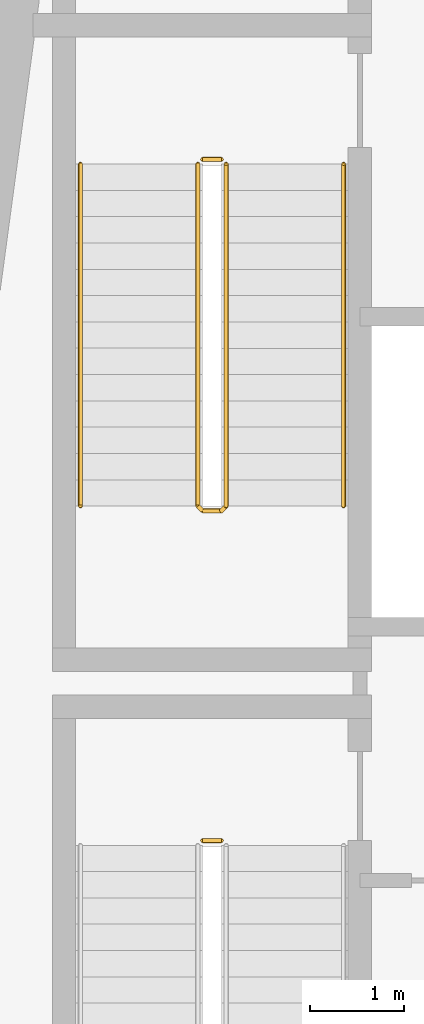
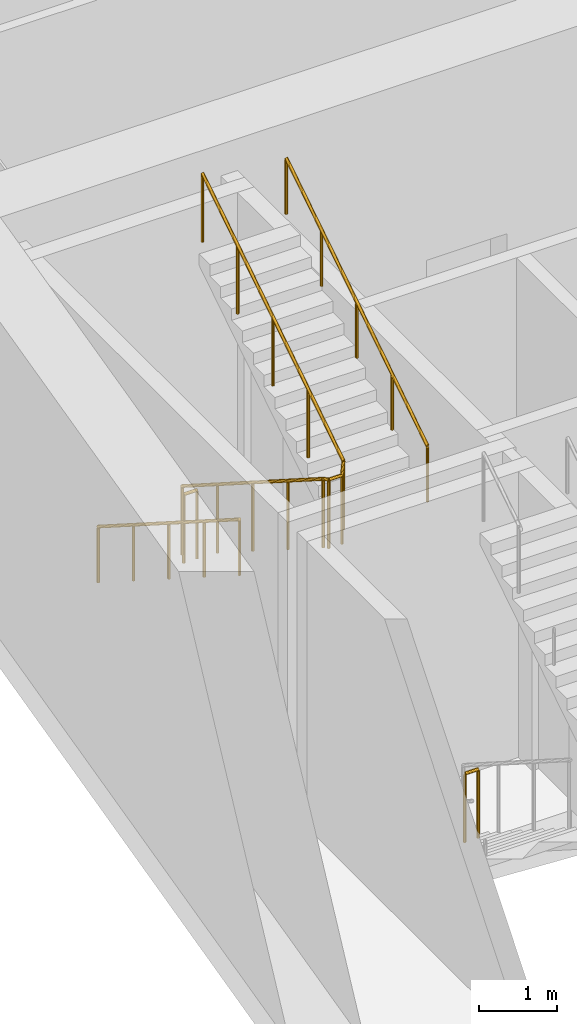
# One storey, part 13 of 16: 5 railings.
"""IFC4 building model written with IfcOpenShell, lengths in metres."""

import ifcopenshell
import ifcopenshell.guid

model = None  # the IFC model being written
_history = None  # IfcOwnerHistory: only IFC2X3 demands one
_inside = {}  # id of a spatial element -> (the spatial element, [elements in it])
_under = {}  # id of a project, library or spatial element -> (it, [spatial elements below it])
_declared = {}  # id of a project -> (the project, [libraries it declares])
_typed = {}  # id of a type object -> (the type object, [elements of that type])
_made_of = {}  # id of a material, layer set ... -> (it, [elements and type objects made of it])


def new_model(schema):
    """Start an empty IFC model of exactly this schema.

    Asked for "IFC4X3", IfcOpenShell would pick the latest addendum, in which some entities
    have other attributes; the version numbers below select the first issue.
    IFC2X3 requires an IfcOwnerHistory on every rooted entity: one is made here for all.
    """
    global model, _history
    if schema == "IFC4X3":
        model = ifcopenshell.file(schema_version=(4, 3, 0, 0))
    else:
        model = ifcopenshell.file(schema=schema)
    _inside.clear()
    _under.clear()
    _declared.clear()
    _typed.clear()
    _made_of.clear()
    _history = None
    if model.schema == "IFC2X3":
        org = make("IfcOrganization", Name="unknown")
        user = make(
            "IfcPersonAndOrganization",
            ThePerson=make("IfcPerson", FamilyName="unknown"),
            TheOrganization=org,
        )
        app = make(
            "IfcApplication",
            ApplicationDeveloper=org,
            Version="unknown",
            ApplicationFullName="unknown",
            ApplicationIdentifier="unknown",
        )
        _history = make(
            "IfcOwnerHistory",
            OwningUser=user,
            OwningApplication=app,
            ChangeAction="ADDED",
            CreationDate=0,
        )
    return model


def make(cls, **values):
    """One entity of the class cls with the attributes given. An attribute that is None is left unset."""
    return model.create_entity(
        cls, **{name: value for name, value in values.items() if value is not None}
    )


def rooted(cls, **values):
    """An entity with a GlobalId (a new one), such as an element, a storey or a relation."""
    return make(cls, GlobalId=ifcopenshell.guid.new(), OwnerHistory=_history, **values)


def si_unit(unit_type, name, prefix=None):
    """IfcSIUnit, for example si_unit("LENGTHUNIT", "METRE", prefix="MILLI")."""
    return make("IfcSIUnit", UnitType=unit_type, Prefix=prefix, Name=name)


def assignment(units):
    """IfcUnitAssignment: the units of a project."""
    return None if units is None else make("IfcUnitAssignment", Units=units)


def point(xyz):
    """IfcCartesianPoint."""
    return None if xyz is None else make("IfcCartesianPoint", Coordinates=xyz)


def direction(xyz):
    """IfcDirection."""
    return None if xyz is None else make("IfcDirection", DirectionRatios=xyz)


def frame(location, z_axis=None, x_axis=None):
    """IfcAxis2Placement3D, a coordinate frame: its origin and axes. An axis left out is left unset."""
    return make(
        "IfcAxis2Placement3D",
        Location=point(location),
        Axis=direction(z_axis),
        RefDirection=direction(x_axis),
    )


def frame_2d(location, x_axis=None):
    """IfcAxis2Placement2D, a coordinate frame in the plane: its origin and x axis."""
    return make(
        "IfcAxis2Placement2D", Location=point(location), RefDirection=direction(x_axis)
    )


def origin():
    """The frame at (0, 0, 0) with its axes left unset."""
    return frame((0.0, 0.0, 0.0))


def origin_2d():
    """The frame at (0, 0) in the plane with its x axis left unset."""
    return frame_2d((0.0, 0.0))


def place(relative_to, where):
    """IfcLocalPlacement: puts the frame where relative to a parent placement (None: the world)."""
    return make(
        "IfcLocalPlacement", PlacementRelTo=relative_to, RelativePlacement=where
    )


def context(
    kind, dimensions, precision=None, world=None, true_north=None, identifier=None
):
    """IfcGeometricRepresentationContext, for example the 3D "Model" context."""
    return make(
        "IfcGeometricRepresentationContext",
        ContextIdentifier=identifier,
        ContextType=kind,
        CoordinateSpaceDimension=dimensions,
        Precision=precision,
        WorldCoordinateSystem=world,
        TrueNorth=true_north,
    )


def subcontext(parent, identifier, kind, view, scale=None):
    """IfcGeometricRepresentationSubContext, for example "Body" below "Model"."""
    return make(
        "IfcGeometricRepresentationSubContext",
        ContextIdentifier=identifier,
        ContextType=kind,
        ParentContext=parent,
        TargetScale=scale,
        TargetView=view,
    )


def project(units=None, contexts=None):
    """IfcProject with its units and contexts."""
    return rooted(
        "IfcProject",
        Name="project",
        RepresentationContexts=contexts,
        UnitsInContext=assignment(units),
    )


def spatial(cls, under=None, at=None, **own):
    """A site, building, storey or space (cls), placed at a placement, below another one or the project."""
    s = rooted(cls, ObjectPlacement=at, **own)
    if under is not None:
        _under.setdefault(under.id(), (under, []))[1].append(s)
    return s


def profile(cls, at=None, kind="AREA", **sizes):
    """A parametric profile (cls). Its sizes go by their IFC names, for example OverallWidth=200.0."""
    return make(cls, ProfileType=kind, Position=at, **sizes)


def circle(**sizes):
    """IfcCircleProfileDef."""
    return profile("IfcCircleProfileDef", **sizes)


def extrude(swept, where, along, depth):
    """IfcExtrudedAreaSolid: the profile swept, set in the frame where, extruded along a direction by depth."""
    return make(
        "IfcExtrudedAreaSolid",
        SweptArea=swept,
        Position=where,
        ExtrudedDirection=direction(along),
        Depth=depth,
    )


def shape(context_of_items, identifier, shape_type, items):
    """IfcShapeRepresentation: the items that make up one representation, for example the "Body"."""
    return make(
        "IfcShapeRepresentation",
        ContextOfItems=context_of_items,
        RepresentationIdentifier=identifier,
        RepresentationType=shape_type,
        Items=items,
    )


def material(Name=None, Category=None):
    """IfcMaterial."""
    return make("IfcMaterial", Name=Name, Category=Category)


def made_of(thing, what):
    """Note that an element or type object is made of a material, layer set ...; save() writes the relation."""
    if what is not None:
        _made_of.setdefault(what.id(), (what, []))[1].append(thing)
    return thing


def type_object(cls, material=None, **own):
    """A type object (cls), such as IfcWallType, which elements share."""
    return made_of(rooted(cls, **own), material)


def element(
    cls,
    number,
    at=None,
    inside=None,
    cuts=None,
    type_object=None,
    material=None,
    context=None,
    identifier="Body",
    shape_type=None,
    held_by="IfcProductDefinitionShape",
    body=None,
    shapes=None,
    **own,
):
    """One element of the class cls, such as IfcWall. Its Tag is "e" and its number.

    at: its placement. inside: the storey or other place that contains it. cuts: it is an
    opening in that element (IfcRelVoidsElement). A single representation is given by context,
    identifier, shape_type and body (its items); several are given by shapes. held_by: the class
    of the entity that holds the representations. save() writes the other relations.
    """
    e = rooted(cls, Tag="e%d" % number, ObjectPlacement=at, **own)
    if body is not None:
        shapes = [shape(context, identifier, shape_type, body)]
    if shapes is not None:
        e.Representation = make(held_by, Representations=shapes)
    if inside is not None:
        _inside.setdefault(inside.id(), (inside, []))[1].append(e)
    if cuts is not None:
        rooted(
            "IfcRelVoidsElement", RelatingBuildingElement=cuts, RelatedOpeningElement=e
        )
    if type_object is not None:
        _typed.setdefault(type_object.id(), (type_object, []))[1].append(e)
    return made_of(e, material)


def aggregate(whole, parts):
    """IfcRelAggregates: a whole, such as a stair, and the parts it consists of."""
    return rooted("IfcRelAggregates", RelatingObject=whole, RelatedObjects=parts)


def save(model, path):
    """Write the relations noted so far, then the file.

    IfcRelAggregates (storeys below a building ...), IfcRelContainedInSpatialStructure (elements
    in a storey), IfcRelDefinesByType, IfcRelAssociatesMaterial and IfcRelDeclares: one each for
    every whole, place, type object, material and project.
    """
    for whole, parts in _under.values():
        aggregate(whole, parts)
    for where, things in _inside.values():
        rooted(
            "IfcRelContainedInSpatialStructure",
            RelatedElements=things,
            RelatingStructure=where,
        )
    for kind, things in _typed.values():
        rooted("IfcRelDefinesByType", RelatedObjects=things, RelatingType=kind)
    for what, things in _made_of.values():
        rooted("IfcRelAssociatesMaterial", RelatedObjects=things, RelatingMaterial=what)
    for by, libraries in _declared.values():
        rooted("IfcRelDeclares", RelatingContext=by, RelatedDefinitions=libraries)
    model.write(path)


model = new_model("IFC4")

# Units and contexts
model_context = context("Model", 3, precision=1e-05, world=origin(), true_north=direction((0.0, 1.0)))
body_context = subcontext(model_context, "Body", "Model", "MODEL_VIEW")
ifc_project = project(units=[si_unit("LENGTHUNIT", "METRE"), si_unit("AREAUNIT", "SQUARE_METRE"), si_unit("VOLUMEUNIT", "CUBIC_METRE"), si_unit("PLANEANGLEUNIT", "RADIAN"), si_unit("MASSUNIT", "GRAM", prefix="KILO")], contexts=[model_context])

# Site, building, storey
site_placement = place(None, origin())
site = spatial("IfcSite", under=ifc_project, at=site_placement, CompositionType="ELEMENT")
building_placement = place(site_placement, origin())
building = spatial("IfcBuilding", under=site, at=building_placement, Name="Candeia Pilgrim Tower and Theatre", CompositionType="ELEMENT")
storey_placement = place(building_placement, frame((0.0, 0.0, 192.199951171875)))
storey = spatial("IfcBuildingStorey", under=building, at=storey_placement, Name="L46", CompositionType="ELEMENT", Elevation=192.199951171875)

# Railings
ifc_material_1 = material(Name="Stainless steel balustrade", Category="steel")
railing_type_1 = type_object("IfcRailingType", Name="RL-GUARD-1100", PredefinedType="GUARDRAIL", material=ifc_material_1)
railing_1_placement = place(storey_placement, frame((91.152099609375, 122.52490234375, 0.0)))
element("IfcRailing", 1, at=railing_1_placement, inside=storey, type_object=railing_type_1, Name="L46 ST1 stair guard 2", PredefinedType="GUARDRAIL", context=body_context, shape_type="SweptSolid", body=[
    extrude(circle(Radius=0.02392578125, at=origin_2d()), frame((0.0, 0.0, 1.076171875), z_axis=(1.0, 0.0, 0.0), x_axis=(0.0, 1.0, 0.0)), (0.0, 0.0, 1.0), 0.199951171875),
    extrude(circle(Radius=0.02099609375, at=origin_2d()), origin(), (0.0, 0.0, 1.0), 1.052001953125),
    extrude(circle(Radius=0.02099609375, at=origin_2d()), frame((0.199951171875, 0.0, 0.0)), (0.0, 0.0, 1.0), 1.052001953125),
])
railing_2_placement = place(storey_placement, frame((91.10205078125, 129.72509765625, 0.1787109375)))
element("IfcRailing", 2, at=railing_2_placement, inside=storey, type_object=railing_type_1, Name="L46 ST2 stair guard 1", PredefinedType="GUARDRAIL", context=body_context, shape_type="SweptSolid", body=[
    extrude(circle(Radius=0.02392578125, at=origin_2d()), frame((0.0, 0.0, 1.076171875), z_axis=(0.0, -0.843153495434, 0.537672933239), x_axis=(1.0, 0.0, 0.0)), (0.0, 0.0, 1.0), 4.3173828125),
    extrude(circle(Radius=0.02392578125, at=origin_2d()), frame((0.0, -3.64013671875, 3.3974609375), z_axis=(0.707106781187, -0.707106781187, 0.0), x_axis=(0.707106781187, 0.707106781187, 0.0)), (0.0, 0.0, 1.0), 0.07080078125),
    extrude(circle(Radius=0.02392578125, at=origin_2d()), frame((0.050048828125, -3.690185546875, 3.3974609375), z_axis=(1.0, 0.0, 0.0), x_axis=(0.0, 1.0, 0.0)), (0.0, 0.0, 1.0), 0.199951171875),
    extrude(circle(Radius=0.02392578125, at=origin_2d()), frame((0.25, -3.690185546875, 3.3974609375), z_axis=(0.260376719329, 0.260376719329, 0.929735407556), x_axis=(-0.707106781187, 0.707106781187, 0.0)), (0.0, 0.0, 1.0), 0.192138671875),
    extrude(circle(Radius=0.02392578125, at=origin_2d()), frame((0.300048828125, -3.64013671875, 3.576171875), z_axis=(0.0, 0.843153495434, 0.537672933239), x_axis=(-1.0, 0.0, 0.0)), (0.0, 0.0, 1.0), 4.3173828125),
    extrude(circle(Radius=0.02099609375, at=origin_2d()), origin(), (0.0, 0.0, 1.0), 1.052001953125),
    extrude(circle(Radius=0.02099609375, at=origin_2d()), frame((0.0, -0.91015625, 0.580322265625)), (0.0, 0.0, 1.0), 1.052001953125),
    extrude(circle(Radius=0.02099609375, at=origin_2d()), frame((0.0, -1.820068359375, 1.16064453125)), (0.0, 0.0, 1.0), 1.052001953125),
    extrude(circle(Radius=0.02099609375, at=origin_2d()), frame((0.0, -2.72998046875, 1.740966796875)), (0.0, 0.0, 1.0), 1.052001953125),
    extrude(circle(Radius=0.02099609375, at=origin_2d()), frame((0.0, -3.64013671875, 2.3212890625)), (0.0, 0.0, 1.0), 1.052001953125),
    extrude(circle(Radius=0.02099609375, at=origin_2d()), frame((0.050048828125, -3.690185546875, 2.3212890625)), (0.0, 0.0, 1.0), 1.052001953125),
    extrude(circle(Radius=0.02099609375, at=origin_2d()), frame((0.25, -3.690185546875, 2.3212890625)), (0.0, 0.0, 1.0), 1.052001953125),
    extrude(circle(Radius=0.02099609375, at=origin_2d()), frame((0.300048828125, -3.64013671875, 2.5)), (0.0, 0.0, 1.0), 1.052001953125),
    extrude(circle(Radius=0.02099609375, at=origin_2d()), frame((0.300048828125, -2.72998046875, 3.080322265625)), (0.0, 0.0, 1.0), 1.052001953125),
    extrude(circle(Radius=0.02099609375, at=origin_2d()), frame((0.300048828125, -1.820068359375, 3.66064453125)), (0.0, 0.0, 1.0), 1.052001953125),
    extrude(circle(Radius=0.02099609375, at=origin_2d()), frame((0.300048828125, -0.91015625, 4.240966796875)), (0.0, 0.0, 1.0), 1.052001953125),
    extrude(circle(Radius=0.02099609375, at=origin_2d()), frame((0.300048828125, 0.0, 4.8212890625)), (0.0, 0.0, 1.0), 1.052001953125),
])
railing_3_placement = place(storey_placement, frame((91.152099609375, 129.77490234375, 0.0)))
element("IfcRailing", 3, at=railing_3_placement, inside=storey, type_object=railing_type_1, Name="L46 ST2 stair guard 2", PredefinedType="GUARDRAIL", context=body_context, shape_type="SweptSolid", body=[
    extrude(circle(Radius=0.02392578125, at=origin_2d()), frame((0.0, 0.0, 1.076171875), z_axis=(1.0, 0.0, 0.0), x_axis=(0.0, 1.0, 0.0)), (0.0, 0.0, 1.0), 0.199951171875),
    extrude(circle(Radius=0.02099609375, at=origin_2d()), origin(), (0.0, 0.0, 1.0), 1.052001953125),
    extrude(circle(Radius=0.02099609375, at=origin_2d()), frame((0.199951171875, 0.0, 0.0)), (0.0, 0.0, 1.0), 1.052001953125),
])
ifc_material_2 = material(Name="Stainless steel handrail", Category="steel")
railing_type_2 = type_object("IfcRailingType", Name="RL-HANDRAIL-900", PredefinedType="HANDRAIL", material=ifc_material_2)
railing_4_placement = place(storey_placement, frame((89.85205078125, 129.72509765625, 0.1787109375)))
element("IfcRailing", 4, at=railing_4_placement, inside=storey, type_object=railing_type_2, Name="L46 ST2 stair handrail 1", PredefinedType="HANDRAIL", context=body_context, shape_type="SweptSolid", body=[
    extrude(circle(Radius=0.02392578125, at=origin_2d()), frame((0.0, 0.0, 0.8759765625), z_axis=(0.0, -0.843153495434, 0.537672933239), x_axis=(1.0, 0.0, 0.0)), (0.0, 0.0, 1.0), 4.3173828125),
    extrude(circle(Radius=0.02099609375, at=origin_2d()), origin(), (0.0, 0.0, 1.0), 0.851806640625),
    extrude(circle(Radius=0.02099609375, at=origin_2d()), frame((0.0, -0.91015625, 0.580322265625)), (0.0, 0.0, 1.0), 0.851806640625),
    extrude(circle(Radius=0.02099609375, at=origin_2d()), frame((0.0, -1.820068359375, 1.16064453125)), (0.0, 0.0, 1.0), 0.851806640625),
    extrude(circle(Radius=0.02099609375, at=origin_2d()), frame((0.0, -2.72998046875, 1.740966796875)), (0.0, 0.0, 1.0), 0.851806640625),
    extrude(circle(Radius=0.02099609375, at=origin_2d()), frame((0.0, -3.64013671875, 2.3212890625)), (0.0, 0.0, 1.0), 0.851806640625),
])
railing_5_placement = place(storey_placement, frame((92.652099609375, 126.0849609375, 2.6787109375)))
element("IfcRailing", 5, at=railing_5_placement, inside=storey, type_object=railing_type_2, Name="L46 ST2 stair handrail 2", PredefinedType="HANDRAIL", context=body_context, shape_type="SweptSolid", body=[
    extrude(circle(Radius=0.02392578125, at=origin_2d()), frame((0.0, 0.0, 0.8759765625), z_axis=(0.0, 0.843153495434, 0.537672933239), x_axis=(-1.0, 0.0, 0.0)), (0.0, 0.0, 1.0), 4.3173828125),
    extrude(circle(Radius=0.02099609375, at=origin_2d()), origin(), (0.0, 0.0, 1.0), 0.851806640625),
    extrude(circle(Radius=0.02099609375, at=origin_2d()), frame((0.0, 0.91015625, 0.580322265625)), (0.0, 0.0, 1.0), 0.851806640625),
    extrude(circle(Radius=0.02099609375, at=origin_2d()), frame((0.0, 1.820068359375, 1.16064453125)), (0.0, 0.0, 1.0), 0.851806640625),
    extrude(circle(Radius=0.02099609375, at=origin_2d()), frame((0.0, 2.72998046875, 1.740966796875)), (0.0, 0.0, 1.0), 0.851806640625),
    extrude(circle(Radius=0.02099609375, at=origin_2d()), frame((0.0, 3.64013671875, 2.3212890625)), (0.0, 0.0, 1.0), 0.851806640625),
])

save(model, "model.ifc")
